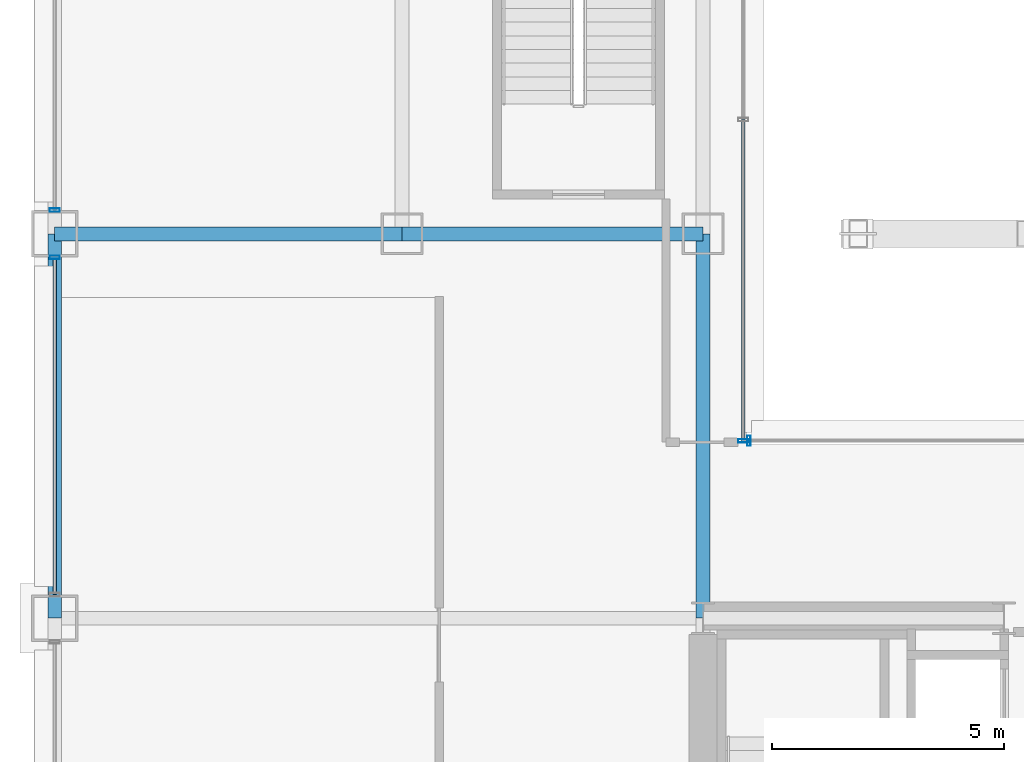
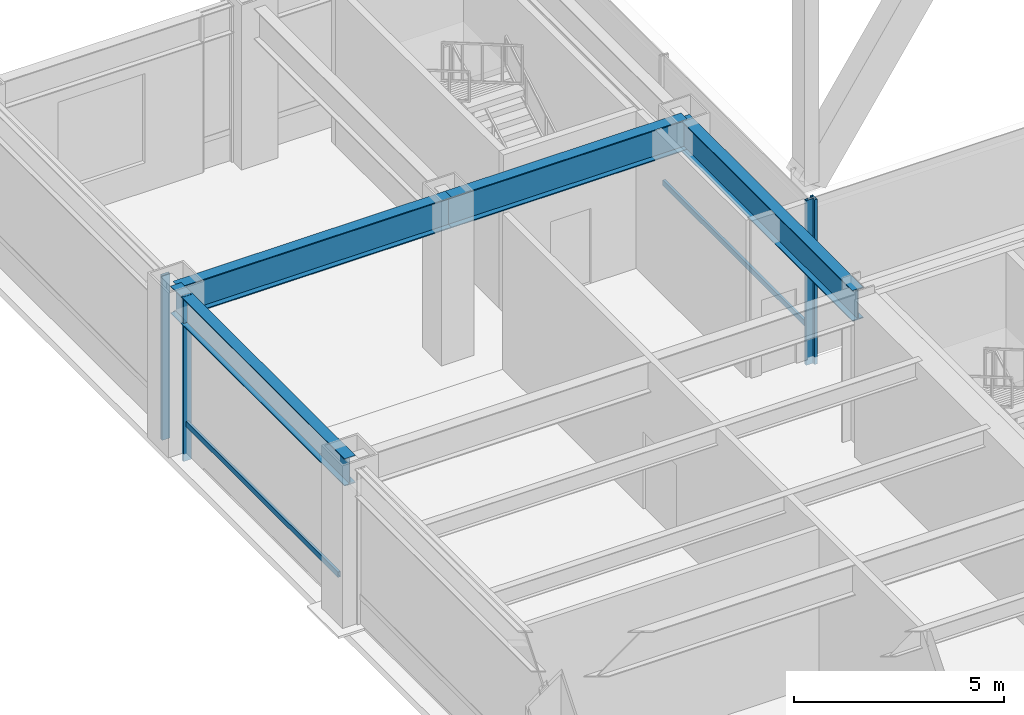
# One storey, part 15 of 40: 6 members, 4 beams, 4 elements without a shape of their own.
"""IFC4 building model written with IfcOpenShell, lengths in metres."""

from ifc_helpers import new_model, si_unit, direction, frame, origin, origin_2d, place, context, subcontext, project, spatial, hollow_rectangle, i_section, extrude, material, layer, layer_set, material_profile, profile_set, type_object, element, aggregate, save


model = new_model("IFC4")

# Units and contexts
model_context = context("Model", 3, precision=1e-05, world=origin(), true_north=direction((0.0, 1.0)))
body_context = subcontext(model_context, "Body", "Model", "MODEL_VIEW")
ifc_project = project(units=[si_unit("LENGTHUNIT", "METRE"), si_unit("AREAUNIT", "SQUARE_METRE"), si_unit("VOLUMEUNIT", "CUBIC_METRE"), si_unit("PLANEANGLEUNIT", "RADIAN"), si_unit("MASSUNIT", "GRAM", prefix="KILO")], contexts=[model_context])

# Site, building, storey
site_placement = place(None, origin())
site = spatial("IfcSite", under=ifc_project, at=site_placement, CompositionType="ELEMENT")
building_placement = place(site_placement, origin())
building = spatial("IfcBuilding", under=site, at=building_placement, Name="Brelmoor Portico Tower", CompositionType="ELEMENT")
storey_placement = place(building_placement, frame((0.0, 0.0, 4.800048828125)))
storey = spatial("IfcBuildingStorey", under=building, at=storey_placement, Name="L01", CompositionType="ELEMENT", Elevation=4.800048828125)

# Beams
ifc_material_1 = material(Name="Steel Q355B", Category="steel")
ifc_material_profile_1 = material_profile(ifc_material_1, i_section(OverallWidth=0.300048828125, OverallDepth=0.89990234375, WebThickness=0.01611328125, FlangeThickness=0.028076171875, at=origin_2d()), Name="HN 900x300x16x28")
ifc_profile_set_1 = profile_set([ifc_material_profile_1], Name="Steel Q355B")
beam_type_1 = type_object("IfcBeamType", Name="BM-PG-900", PredefinedType="BEAM", material=ifc_profile_set_1)
beam_1_placement = place(storey_placement, frame((-14.550048828125, 9.75, 4.1298828125), z_axis=(0.0, 1.0, 0.0), x_axis=(-1.0, 0.0, 0.0)))
element("IfcBeam", 1, at=beam_1_placement, inside=storey, type_object=beam_type_1, Name="L01 Primary Floor Girder PG-08", PredefinedType="BEAM", context=body_context, shape_type="SweptSolid", body=[
    extrude(i_section(OverallWidth=0.300048828125, OverallDepth=0.89990234375, WebThickness=0.01611328125, FlangeThickness=0.028076171875, at=origin_2d()), origin(), (0.0, 0.0, 1.0), 8.300048828125),
])
beam_2_placement = place(storey_placement, frame((-28.550048828125, 18.050048828125, 4.1298828125), z_axis=(1.0, 0.0, 0.0), x_axis=(0.0, 1.0, 0.0)))
element("IfcBeam", 2, at=beam_2_placement, inside=storey, type_object=beam_type_1, Name="L01 Primary Floor Girder PG-37", PredefinedType="BEAM", context=body_context, shape_type="SweptSolid", body=[
    extrude(i_section(OverallWidth=0.300048828125, OverallDepth=0.89990234375, WebThickness=0.01611328125, FlangeThickness=0.028076171875, at=origin_2d()), origin(), (0.0, 0.0, 1.0), 7.5),
])
beam_3_placement = place(storey_placement, frame((-21.050048828125, 18.050048828125, 4.1298828125), z_axis=(1.0, 0.0, 0.0), x_axis=(0.0, 1.0, 0.0)))
element("IfcBeam", 3, at=beam_3_placement, inside=storey, type_object=beam_type_1, Name="L01 Primary Floor Girder PG-38", PredefinedType="BEAM", context=body_context, shape_type="SweptSolid", body=[
    extrude(i_section(OverallWidth=0.300048828125, OverallDepth=0.89990234375, WebThickness=0.01611328125, FlangeThickness=0.028076171875, at=origin_2d()), origin(), (0.0, 0.0, 1.0), 6.5),
])
ifc_material_profile_2 = material_profile(ifc_material_1, i_section(OverallWidth=0.300048828125, OverallDepth=0.800048828125, WebThickness=0.013916015625, FlangeThickness=0.02587890625, at=origin_2d()), Name="HN 800x300x14x26")
ifc_profile_set_2 = profile_set([ifc_material_profile_2], Name="Steel Q355B")
beam_type_2 = type_object("IfcBeamType", Name="BM-SP-800", PredefinedType="SPANDREL", material=ifc_profile_set_2)
beam_4_placement = place(storey_placement, frame((-28.550048828125, 9.75, 4.179931640625), z_axis=(0.0, 1.0, 0.0), x_axis=(-1.0, 0.0, 0.0)))
element("IfcBeam", 4, at=beam_4_placement, inside=storey, type_object=beam_type_2, Name="L01 Perimeter Spandrel Beam SP-13", PredefinedType="SPANDREL", context=body_context, shape_type="SweptSolid", body=[
    extrude(i_section(OverallWidth=0.300048828125, OverallDepth=0.800048828125, WebThickness=0.013916015625, FlangeThickness=0.02587890625, at=origin_2d()), origin(), (0.0, 0.0, 1.0), 8.300048828125),
])

# Curtain wall, member
ifc_material_2 = material(Name="Anodised Aluminium Alloy 6063-T6", Category="aluminium")
ifc_layer = layer(ifc_material_2, 0.179931640625)
ifc_layer_set = layer_set([ifc_layer], Name="Anodised Aluminium Alloy 6063-T6")
curtain_wall_type = type_object("IfcCurtainWallType", Name="CW-PODIUM-ARCH", PredefinedType="NOTDEFINED", material=ifc_layer_set)
curtain_wall_1_placement = place(storey_placement, origin())
curtain_wall_1 = element("IfcCurtainWall", 5, at=curtain_wall_1_placement, inside=storey, type_object=curtain_wall_type, Name="L01 Curtain Wall CW-L01-05-5", PredefinedType="NOTDEFINED")
ifc_material_profile_3 = material_profile(ifc_material_2, hollow_rectangle(XDim=0.074951171875, YDim=0.219970703125, WallThickness=0.0048828125, at=origin_2d()), Name="ALU MULLION 75x220")
ifc_profile_set_3 = profile_set([ifc_material_profile_3], Name="Anodised Aluminium Alloy 6063-T6")
member_type_1 = type_object("IfcMemberType", Name="MB-CW-MULL-220", PredefinedType="MULLION", material=ifc_profile_set_3)
member_1_placement = place(storey_placement, frame((-28.550048828125, 17.5400390625, -0.219970703125), z_axis=(0.0, 0.0, 1.0), x_axis=(0.0, 1.0, 0.0)))
member_1 = element("IfcMember", 6, at=member_1_placement, type_object=member_type_1, Name="CW-L01-05-5 Mullion 01", PredefinedType="MULLION", context=body_context, shape_type="SweptSolid", body=[
    extrude(hollow_rectangle(XDim=0.074951171875, YDim=0.219970703125, WallThickness=0.0048828125, at=origin_2d()), origin(), (0.0, 0.0, 1.0), 4.7998046875),
])

curtain_wall_2_placement = place(storey_placement, origin())
curtain_wall_2 = element("IfcCurtainWall", 7, at=curtain_wall_2_placement, inside=storey, type_object=curtain_wall_type, Name="L01 Curtain Wall CW-L01-05-6", PredefinedType="NOTDEFINED")
member_2_placement = place(storey_placement, frame((-28.550048828125, 18.56005859375, -0.219970703125), z_axis=(0.0, 0.0, 1.0), x_axis=(0.0, 1.0, 0.0)))
member_2 = element("IfcMember", 8, at=member_2_placement, type_object=member_type_1, Name="CW-L01-05-6 Mullion 00", PredefinedType="MULLION", context=body_context, shape_type="SweptSolid", body=[
    extrude(hollow_rectangle(XDim=0.074951171875, YDim=0.219970703125, WallThickness=0.0048828125, at=origin_2d()), origin(), (0.0, 0.0, 1.0), 4.7998046875),
])
aggregate(curtain_wall_2, [member_2])

curtain_wall_3_placement = place(storey_placement, origin())
curtain_wall_3 = element("IfcCurtainWall", 9, at=curtain_wall_3_placement, inside=storey, type_object=curtain_wall_type, Name="L01 Curtain Wall CW-L01-09", PredefinedType="NOTDEFINED")
member_3_placement = place(storey_placement, frame((-13.679931640625, 13.580078125, -0.219970703125), z_axis=(0.0, 0.0, 1.0), x_axis=(0.0, 1.0, 0.0)))
member_3 = element("IfcMember", 10, at=member_3_placement, type_object=member_type_1, Name="CW-L01-09 Mullion 00", PredefinedType="MULLION", context=body_context, shape_type="SweptSolid", body=[
    extrude(hollow_rectangle(XDim=0.074951171875, YDim=0.219970703125, WallThickness=0.0048828125, at=origin_2d()), origin(), (0.0, 0.0, 1.0), 4.7998046875),
])

curtain_wall_4_placement = place(storey_placement, origin())
curtain_wall_4 = element("IfcCurtainWall", 11, at=curtain_wall_4_placement, inside=storey, type_object=curtain_wall_type, Name="L01 Curtain Wall CW-L01-13", PredefinedType="NOTDEFINED")
member_4_placement = place(storey_placement, frame((-13.56005859375, 13.580078125, -0.219970703125), z_axis=(0.0, 0.0, 1.0), x_axis=(1.0, 0.0, 0.0)))
member_4 = element("IfcMember", 12, at=member_4_placement, type_object=member_type_1, Name="CW-L01-13 Mullion 00", PredefinedType="MULLION", context=body_context, shape_type="SweptSolid", body=[
    extrude(hollow_rectangle(XDim=0.074951171875, YDim=0.219970703125, WallThickness=0.0048828125, at=origin_2d()), origin(), (0.0, 0.0, 1.0), 4.7998046875),
])
aggregate(curtain_wall_4, [member_4])

# Member
ifc_material_profile_4 = material_profile(ifc_material_2, hollow_rectangle(XDim=0.070068359375, YDim=0.159912109375, WallThickness=0.00390625, at=origin_2d()), Name="ALU TRANSOM 70x160")
ifc_profile_set_4 = profile_set([ifc_material_profile_4], Name="Anodised Aluminium Alloy 6063-T6")
member_type_2 = type_object("IfcMemberType", Name="MB-CW-TRAN-160", PredefinedType="USERDEFINED", material=ifc_profile_set_4)
member_5_placement = place(storey_placement, frame((-28.550048828125, 10.260009765625, 0.849853515625), z_axis=(0.0, 1.0, 0.0), x_axis=(-1.0, 0.0, 0.0)))
member_5 = element("IfcMember", 13, at=member_5_placement, type_object=member_type_2, Name="CW-L01-05-5 Transom 1-00", ObjectType="TRANSOM", PredefinedType="USERDEFINED", context=body_context, shape_type="SweptSolid", body=[
    extrude(hollow_rectangle(XDim=0.070068359375, YDim=0.159912109375, WallThickness=0.00390625, at=origin_2d()), origin(), (0.0, 0.0, 1.0), 7.280029296875),
])

aggregate(curtain_wall_1, [member_1, member_5])

member_6_placement = place(storey_placement, frame((-13.679931640625, 13.580078125, 0.849853515625), z_axis=(0.0, 1.0, 0.0), x_axis=(-1.0, 0.0, 0.0)))
member_6 = element("IfcMember", 14, at=member_6_placement, type_object=member_type_2, Name="CW-L01-09 Transom 1-00", ObjectType="TRANSOM", PredefinedType="USERDEFINED", context=body_context, shape_type="SweptSolid", body=[
    extrude(hollow_rectangle(XDim=0.070068359375, YDim=0.159912109375, WallThickness=0.00390625, at=origin_2d()), origin(), (0.0, 0.0, 1.0), 6.934814453125),
])

aggregate(curtain_wall_3, [member_3, member_6])

save(model, "model.ifc")
